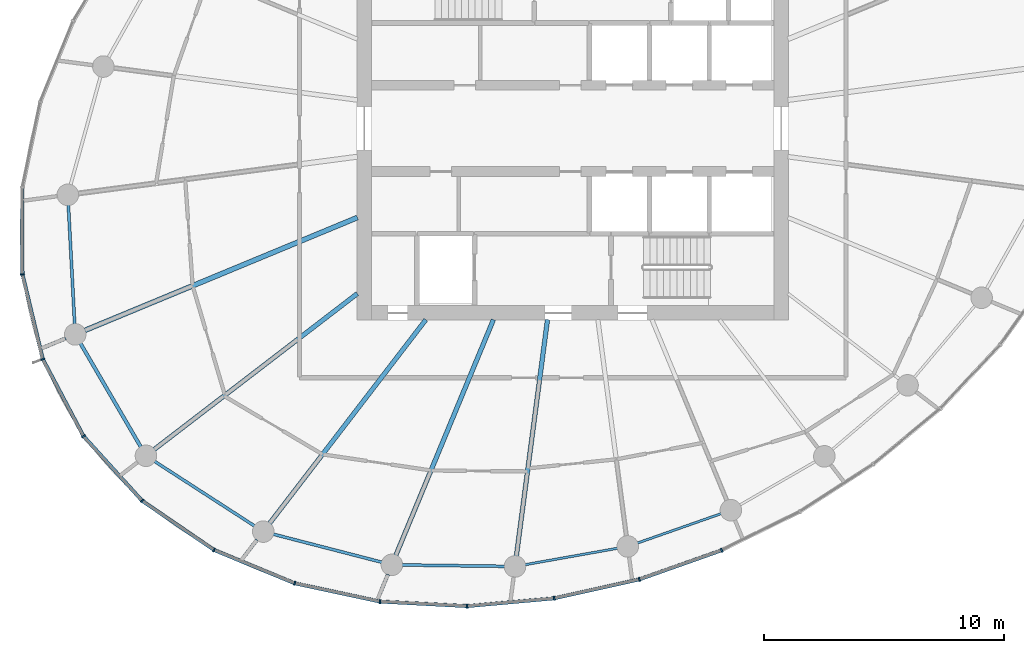
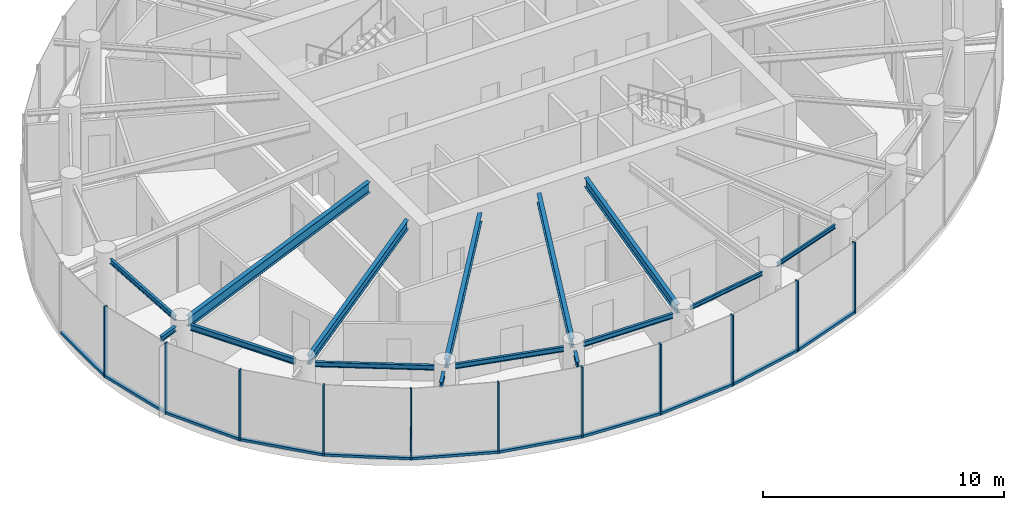
# One storey, part 2 of 13: 22 members, 15 beams, 3 elements without a shape of their own.
"""IFC4 building model written with IfcOpenShell, lengths in metres."""

from ifc_helpers import new_model, si_unit, direction, frame, origin, origin_2d, place, context, subcontext, project, spatial, rectangle, i_section, extrude, source, transform, mapped, material, layer, layer_set, material_profile, profile_set, type_object, element, aggregate, save


model = new_model("IFC4")

# Units and contexts
model_context = context("Model", 3, precision=1e-05, world=origin(), true_north=direction((0.0, 1.0)))
body_context = subcontext(model_context, "Body", "Model", "MODEL_VIEW")
ifc_project = project(units=[si_unit("LENGTHUNIT", "METRE"), si_unit("AREAUNIT", "SQUARE_METRE"), si_unit("VOLUMEUNIT", "CUBIC_METRE"), si_unit("PLANEANGLEUNIT", "RADIAN"), si_unit("MASSUNIT", "GRAM", prefix="KILO")], contexts=[model_context])

# Site, building, storey
site_placement = place(None, origin())
site = spatial("IfcSite", under=ifc_project, at=site_placement, CompositionType="ELEMENT")
building_placement = place(site_placement, origin())
building = spatial("IfcBuilding", under=site, at=building_placement, Name="Spindrift Exchange Tower", CompositionType="ELEMENT")
storey_placement = place(building_placement, frame((0.0, 0.0, 222.800048828125)))
storey = spatial("IfcBuildingStorey", under=building, at=storey_placement, Name="L54", CompositionType="ELEMENT", Elevation=222.800048828125)

# Beams
ifc_material_1 = material(Name="Steel Grade 300", Category="steel")
ifc_material_profile_1 = material_profile(ifc_material_1, i_section(OverallWidth=0.14599609375, OverallDepth=0.251953125, WebThickness=0.006103515625, FlangeThickness=0.008544921875, FilletRadius=0.011962890625, at=origin_2d()), Name="250UB31.4")
ifc_profile_set_1 = profile_set([ifc_material_profile_1], Name="Steel Grade 300")
beam_type_1 = type_object("IfcBeamType", Name="Cantilever Beam 250UB31.4 Steel Grade 300", PredefinedType="BEAM", material=ifc_profile_set_1)
shared_shape_1 = source(origin(), body_context, "Body", "SweptSolid", [
    extrude(i_section(OverallWidth=0.14599609375, OverallDepth=0.251953125, WebThickness=0.006103515625, FlangeThickness=0.008544921875, FilletRadius=0.011962890625, at=origin_2d()), origin(), (0.0, 0.0, 1.0), 0.99267578125),
])
beam_1_placement = place(storey_placement, frame((30.849609375, 39.2392578125, 3.453857421875), z_axis=(-0.923860933472, -0.382728331332, 0.0), x_axis=(0.382728331332, -0.923860933472, 0.0)))
element("IfcBeam", 1, at=beam_1_placement, inside=storey, type_object=beam_type_1, Name="L54 cantilever beam R14T", PredefinedType="BEAM", context=body_context, shape_type="MappedRepresentation", body=[
    mapped(shared_shape_1, transform((0.0, 0.0, 0.0), scale=1.0)),
])
ifc_material_profile_2 = material_profile(ifc_material_1, i_section(OverallWidth=0.208984375, OverallDepth=0.528076171875, WebThickness=0.009521484375, FlangeThickness=0.01318359375, FilletRadius=0.013916015625, at=origin_2d()), Name="530UB82.0")
ifc_profile_set_2 = profile_set([ifc_material_profile_2], Name="Steel Grade 300")
beam_type_2 = type_object("IfcBeamType", Name="Floor Beam 530UB82.0 Steel Grade 300", PredefinedType="BEAM", material=ifc_profile_set_2)
shared_shape_2 = source(origin(), body_context, "Body", "SweptSolid", [
    extrude(i_section(OverallWidth=0.208984375, OverallDepth=0.528076171875, WebThickness=0.009521484375, FlangeThickness=0.01318359375, FilletRadius=0.013916015625, at=origin_2d()), origin(), (0.0, 0.0, 1.0), 12.3115234375),
])
beam_2_placement = place(storey_placement, frame((43.0185546875, 44.27978515625, 3.31591796875), z_axis=(-0.923878099838, -0.382686891126, 0.0), x_axis=(0.382686891126, -0.923878099838, 0.0)))
element("IfcBeam", 2, at=beam_2_placement, inside=storey, type_object=beam_type_2, Name="L54 radial beam R14A", PredefinedType="BEAM", context=body_context, shape_type="MappedRepresentation", body=[
    mapped(shared_shape_2, transform((0.0, 0.0, 0.0), scale=1.0)),
])
ifc_material_profile_3 = material_profile(ifc_material_1, i_section(OverallWidth=0.18994140625, OverallDepth=0.4541015625, WebThickness=0.008544921875, FlangeThickness=0.0126953125, FilletRadius=0.013916015625, at=origin_2d()), Name="460UB67.1")
ifc_profile_set_3 = profile_set([ifc_material_profile_3], Name="Steel Grade 300")
beam_type_3 = type_object("IfcBeamType", Name="Floor Beam 460UB67.1 Steel Grade 300", PredefinedType="BEAM", material=ifc_profile_set_3)
shared_shape_3 = source(origin(), body_context, "Body", "SweptSolid", [
    extrude(i_section(OverallWidth=0.18994140625, OverallDepth=0.4541015625, WebThickness=0.008544921875, FlangeThickness=0.0126953125, FilletRadius=0.013916015625, at=origin_2d()), origin(), (0.0, 0.0, 1.0), 10.684814453125),
])
beam_3_placement = place(storey_placement, frame((43.015869140625, 41.106201171875, 3.35302734375), z_axis=(-0.793357316898, -0.608756246559, 0.0), x_axis=(0.608756246559, -0.793357316898, 0.0)))
element("IfcBeam", 3, at=beam_3_placement, inside=storey, type_object=beam_type_3, Name="L54 radial beam R15A", PredefinedType="BEAM", context=body_context, shape_type="MappedRepresentation", body=[
    mapped(shared_shape_3, transform((0.0, 0.0, 0.0), scale=1.0)),
])
shared_shape_4 = source(origin(), body_context, "Body", "SweptSolid", [
    extrude(i_section(OverallWidth=0.18994140625, OverallDepth=0.4541015625, WebThickness=0.008544921875, FlangeThickness=0.0126953125, FilletRadius=0.013916015625, at=origin_2d()), origin(), (0.0, 0.0, 1.0), 10.711181640625),
])
beam_4_placement = place(storey_placement, frame((45.87353515625, 40.015869140625, 3.35302734375), z_axis=(-0.608756401092, -0.793357198322, 0.0), x_axis=(0.793357198322, -0.608756401092, 0.0)))
element("IfcBeam", 4, at=beam_4_placement, inside=storey, type_object=beam_type_3, Name="L54 radial beam R16A", PredefinedType="BEAM", context=body_context, shape_type="MappedRepresentation", body=[
    mapped(shared_shape_4, transform((0.0, 0.0, 0.0), scale=1.0)),
])
shared_shape_5 = source(origin(), body_context, "Body", "SweptSolid", [
    extrude(i_section(OverallWidth=0.18994140625, OverallDepth=0.4541015625, WebThickness=0.008544921875, FlangeThickness=0.0126953125, FilletRadius=0.013916015625, at=origin_2d()), origin(), (0.0, 0.0, 1.0), 10.64111328125),
])
beam_5_placement = place(storey_placement, frame((48.69384765625, 40.0185546875, 3.35302734375), z_axis=(-0.382672627597, -0.923884007919, 0.0), x_axis=(0.923884007919, -0.382672627597, 0.0)))
element("IfcBeam", 5, at=beam_5_placement, inside=storey, type_object=beam_type_3, Name="L54 radial beam R17A", PredefinedType="BEAM", context=body_context, shape_type="MappedRepresentation", body=[
    mapped(shared_shape_5, transform((0.0, 0.0, 0.0), scale=1.0)),
])
shared_shape_6 = source(origin(), body_context, "Body", "SweptSolid", [
    extrude(i_section(OverallWidth=0.18994140625, OverallDepth=0.4541015625, WebThickness=0.008544921875, FlangeThickness=0.0126953125, FilletRadius=0.013916015625, at=origin_2d()), origin(), (0.0, 0.0, 1.0), 9.95703125),
])
beam_6_placement = place(storey_placement, frame((50.949462890625, 40.019775390625, 3.35302734375), z_axis=(-0.130541406635, -0.991442858239, 0.0), x_axis=(0.991442858239, -0.130541406635, 0.0)))
element("IfcBeam", 6, at=beam_6_placement, inside=storey, type_object=beam_type_3, Name="L54 radial beam R18A", PredefinedType="BEAM", context=body_context, shape_type="MappedRepresentation", body=[
    mapped(shared_shape_6, transform((0.0, 0.0, 0.0), scale=1.0)),
])
ifc_material_profile_4 = material_profile(ifc_material_1, i_section(OverallWidth=0.1240234375, OverallDepth=0.248046875, WebThickness=0.0048828125, FlangeThickness=0.008056640625, FilletRadius=0.011962890625, at=origin_2d()), Name="250UB25.7")
ifc_profile_set_4 = profile_set([ifc_material_profile_4], Name="Steel Grade 300")
beam_type_4 = type_object("IfcBeamType", Name="Edge Beam 250UB25.7 Steel Grade 300", PredefinedType="SPANDREL", material=ifc_profile_set_4)
shared_shape_7 = source(origin(), body_context, "Body", "SweptSolid", [
    extrude(i_section(OverallWidth=0.1240234375, OverallDepth=0.248046875, WebThickness=0.0048828125, FlangeThickness=0.008056640625, FilletRadius=0.011962890625, at=origin_2d()), origin(), (0.0, 0.0, 1.0), 4.971435546875),
])
beam_7_placement = place(storey_placement, frame((30.96044921875, 44.797607421875, 3.4560546875), z_axis=(0.053038255124, -0.998592481192, 0.0), x_axis=(0.998592481192, 0.053038255124, 0.0)))
element("IfcBeam", 7, at=beam_7_placement, inside=storey, type_object=beam_type_4, Name="L54 edge beam E13", PredefinedType="SPANDREL", context=body_context, shape_type="MappedRepresentation", body=[
    mapped(shared_shape_7, transform((0.0, 0.0, 0.0), scale=1.0)),
])
ifc_material_profile_5 = material_profile(ifc_material_1, i_section(OverallWidth=0.14892578125, OverallDepth=0.298095703125, WebThickness=0.005615234375, FlangeThickness=0.008056640625, FilletRadius=0.012939453125, at=origin_2d()), Name="310UB32.0")
ifc_profile_set_5 = profile_set([ifc_material_profile_5], Name="Steel Grade 300")
beam_type_5 = type_object("IfcBeamType", Name="Edge Beam 310UB32.0 Steel Grade 300", PredefinedType="SPANDREL", material=ifc_profile_set_5)
shared_shape_8 = source(origin(), body_context, "Body", "SweptSolid", [
    extrude(i_section(OverallWidth=0.14892578125, OverallDepth=0.298095703125, WebThickness=0.005615234375, FlangeThickness=0.008056640625, FilletRadius=0.012939453125, at=origin_2d()), origin(), (0.0, 0.0, 1.0), 5.0009765625),
])
beam_8_placement = place(storey_placement, frame((31.46337890625, 39.0322265625, 3.430908203125), z_axis=(0.503512812094, -0.863987759205, 0.0), x_axis=(0.863987759205, 0.503512812094, 0.0)))
element("IfcBeam", 8, at=beam_8_placement, inside=storey, type_object=beam_type_5, Name="L54 edge beam E14", PredefinedType="SPANDREL", context=body_context, shape_type="MappedRepresentation", body=[
    mapped(shared_shape_8, transform((0.0, 0.0, 0.0), scale=1.0)),
])
shared_shape_9 = source(origin(), body_context, "Body", "SweptSolid", [
    extrude(i_section(OverallWidth=0.1240234375, OverallDepth=0.248046875, WebThickness=0.0048828125, FlangeThickness=0.008056640625, FilletRadius=0.011962890625, at=origin_2d()), origin(), (0.0, 0.0, 1.0), 4.966552734375),
])
beam_9_placement = place(storey_placement, frame((34.55908203125, 34.106689453125, 3.4560546875), z_axis=(0.839802198579, -0.54289250065, 0.0), x_axis=(0.54289250065, 0.839802198579, 0.0)))
element("IfcBeam", 9, at=beam_9_placement, inside=storey, type_object=beam_type_4, Name="L54 edge beam E15", PredefinedType="SPANDREL", context=body_context, shape_type="MappedRepresentation", body=[
    mapped(shared_shape_9, transform((0.0, 0.0, 0.0), scale=1.0)),
])
shared_shape_10 = source(origin(), body_context, "Body", "SweptSolid", [
    extrude(i_section(OverallWidth=0.1240234375, OverallDepth=0.248046875, WebThickness=0.0048828125, FlangeThickness=0.008056640625, FilletRadius=0.011962890625, at=origin_2d()), origin(), (0.0, 0.0, 1.0), 4.682373046875),
])
beam_10_placement = place(storey_placement, frame((39.507568359375, 31.0693359375, 3.4560546875), z_axis=(0.968201586176, -0.250171318352, 0.0), x_axis=(0.250171318352, 0.968201586176, 0.0)))
element("IfcBeam", 10, at=beam_10_placement, inside=storey, type_object=beam_type_4, Name="L54 edge beam E16", PredefinedType="SPANDREL", context=body_context, shape_type="MappedRepresentation", body=[
    mapped(shared_shape_10, transform((0.0, 0.0, 0.0), scale=1.0)),
])
shared_shape_11 = source(origin(), body_context, "Body", "SweptSolid", [
    extrude(i_section(OverallWidth=0.1240234375, OverallDepth=0.248046875, WebThickness=0.0048828125, FlangeThickness=0.008056640625, FilletRadius=0.011962890625, at=origin_2d()), origin(), (0.0, 0.0, 1.0), 4.27685546875),
])
beam_11_placement = place(storey_placement, frame((44.88720703125, 29.78466796875, 3.4560546875), z_axis=(0.999910013527, -0.013415097807, 0.0), x_axis=(0.013415097807, 0.999910013527, 0.0)))
element("IfcBeam", 11, at=beam_11_placement, inside=storey, type_object=beam_type_4, Name="L54 edge beam E17", PredefinedType="SPANDREL", context=body_context, shape_type="MappedRepresentation", body=[
    mapped(shared_shape_11, transform((0.0, 0.0, 0.0), scale=1.0)),
])
ifc_material_profile_6 = material_profile(ifc_material_1, i_section(OverallWidth=0.09912109375, OverallDepth=0.197998046875, WebThickness=0.00439453125, FlangeThickness=0.007080078125, FilletRadius=0.010986328125, at=origin_2d()), Name="200UB18.2")
ifc_profile_set_6 = profile_set([ifc_material_profile_6], Name="Steel Grade 300")
beam_type_6 = type_object("IfcBeamType", Name="Edge Beam 200UB18.2 Steel Grade 300", PredefinedType="SPANDREL", material=ifc_profile_set_6)
shared_shape_12 = source(origin(), body_context, "Body", "SweptSolid", [
    extrude(i_section(OverallWidth=0.09912109375, OverallDepth=0.197998046875, WebThickness=0.00439453125, FlangeThickness=0.007080078125, FilletRadius=0.010986328125, at=origin_2d()), origin(), (0.0, 0.0, 1.0), 3.916259765625),
])
beam_12_placement = place(storey_placement, frame((50.01708984375, 29.796875, 3.48095703125), z_axis=(0.984558687682, 0.175054821441, 0.0), x_axis=(-0.175054821441, 0.984558687682, 0.0)))
element("IfcBeam", 12, at=beam_12_placement, inside=storey, type_object=beam_type_6, Name="L54 edge beam E18", PredefinedType="SPANDREL", context=body_context, shape_type="MappedRepresentation", body=[
    mapped(shared_shape_12, transform((0.0, 0.0, 0.0), scale=1.0)),
])
shared_shape_13 = source(origin(), body_context, "Body", "SweptSolid", [
    extrude(i_section(OverallWidth=0.09912109375, OverallDepth=0.197998046875, WebThickness=0.00439453125, FlangeThickness=0.007080078125, FilletRadius=0.010986328125, at=origin_2d()), origin(), (0.0, 0.0, 1.0), 3.700439453125),
])
beam_13_placement = place(storey_placement, frame((54.701904296875, 30.699951171875, 3.48095703125), z_axis=(0.943515334916, 0.331328858957, 0.0), x_axis=(-0.331328858957, 0.943515334916, 0.0)))
element("IfcBeam", 13, at=beam_13_placement, inside=storey, type_object=beam_type_6, Name="L54 edge beam E19", PredefinedType="SPANDREL", context=body_context, shape_type="MappedRepresentation", body=[
    mapped(shared_shape_13, transform((0.0, 0.0, 0.0), scale=1.0)),
])
shared_shape_14 = source(origin(), body_context, "Body", "SweptSolid", [
    extrude(i_section(OverallWidth=0.14599609375, OverallDepth=0.251953125, WebThickness=0.006103515625, FlangeThickness=0.008544921875, FilletRadius=0.011962890625, at=origin_2d()), origin(), (0.0, 0.0, 1.0), 0.853515625),
])
beam_14_placement = place(storey_placement, frame((38.829345703125, 30.835693359375, 3.453857421875), z_axis=(-0.608659697441, -0.793431391307, 0.0), x_axis=(0.793431391307, -0.608659697441, 0.0)))
element("IfcBeam", 14, at=beam_14_placement, inside=storey, type_object=beam_type_1, Name="L54 cantilever beam R16T", PredefinedType="BEAM", context=body_context, shape_type="MappedRepresentation", body=[
    mapped(shared_shape_14, transform((0.0, 0.0, 0.0), scale=1.0)),
])
shared_shape_15 = source(origin(), body_context, "Body", "SweptSolid", [
    extrude(i_section(OverallWidth=0.14599609375, OverallDepth=0.251953125, WebThickness=0.006103515625, FlangeThickness=0.008544921875, FilletRadius=0.011962890625, at=origin_2d()), origin(), (0.0, 0.0, 1.0), 0.862060546875),
])
beam_15_placement = place(storey_placement, frame((44.292724609375, 29.39306640625, 3.453857421875), z_axis=(-0.382643629872, -0.923896018239, 0.0), x_axis=(0.923896018239, -0.382643629872, 0.0)))
element("IfcBeam", 15, at=beam_15_placement, inside=storey, type_object=beam_type_1, Name="L54 cantilever beam R17T", PredefinedType="BEAM", context=body_context, shape_type="MappedRepresentation", body=[
    mapped(shared_shape_15, transform((0.0, 0.0, 0.0), scale=1.0)),
])

# Curtain wall, member
ifc_material_2 = material(Name="Fritted laminated glass with bronze frame", Category="glass")
ifc_layer = layer(ifc_material_2, 0.169921875)
ifc_layer_set = layer_set([ifc_layer], Name="ZONE 4 BRONZE FRITTED WALL")
curtain_wall_type = type_object("IfcCurtainWallType", Name="ZONE 4 BRONZE FRITTED WALL", PredefinedType="NOTDEFINED", material=ifc_layer_set)
curtain_wall_1_placement = place(storey_placement, origin())
curtain_wall_1 = element("IfcCurtainWall", 16, at=curtain_wall_1_placement, inside=storey, type_object=curtain_wall_type, Name="L54 Zone 4 Bronze Fritted Wall run 3", PredefinedType="NOTDEFINED")
ifc_material_3 = material(Name="Bronze anodised aluminium", Category="aluminium")
ifc_material_profile_7 = material_profile(ifc_material_3, rectangle(XDim=0.06494140625, YDim=0.169921875, at=origin_2d()), Name="ZONE 4 BRONZE FRITTED WALL MULLION 65X170")
ifc_profile_set_7 = profile_set([ifc_material_profile_7], Name="Bronze anodised aluminium")
member_type_1 = type_object("IfcMemberType", Name="ZONE 4 BRONZE FRITTED WALL MULLION 65X170", PredefinedType="MULLION", material=ifc_profile_set_7)
shared_shape_16 = source(origin(), body_context, "Body", "SweptSolid", [
    extrude(rectangle(XDim=0.06494140625, YDim=0.169921875, at=origin_2d()), origin(), (0.0, 0.0, 1.0), 3.579833984375),
])
member_1_placement = place(storey_placement, frame((29.045654296875, 41.90478515625, 0.0), z_axis=(0.0, 0.0, 1.0), x_axis=(0.118168835169, -0.992993517801, 0.0)))
member_1 = element("IfcMember", 17, at=member_1_placement, type_object=member_type_1, Name="L54 mullion CW-4.18", PredefinedType="MULLION", context=body_context, shape_type="MappedRepresentation", body=[
    mapped(shared_shape_16, transform((0.0, 0.0, 0.0), scale=1.0)),
])

# Curtain wall, members
curtain_wall_2_placement = place(storey_placement, origin())
curtain_wall_2 = element("IfcCurtainWall", 18, at=curtain_wall_2_placement, inside=storey, type_object=curtain_wall_type, Name="L54 Zone 4 Bronze Fritted Wall run 4", PredefinedType="NOTDEFINED")
member_2_placement = place(storey_placement, frame((29.8935546875, 38.369140625, 0.0), z_axis=(0.0, 0.0, 1.0), x_axis=(0.353065215748, -0.935598713888, 0.0)))
member_2 = element("IfcMember", 19, at=member_2_placement, type_object=member_type_1, Name="L54 mullion CW-4.19", PredefinedType="MULLION", context=body_context, shape_type="MappedRepresentation", body=[
    mapped(shared_shape_16, transform((0.0, 0.0, 0.0), scale=1.0)),
])
member_3_placement = place(storey_placement, frame((31.59228515625, 35.155517578125, 0.0), z_axis=(0.0, 0.0, 1.0), x_axis=(0.57431582073, -0.81863382416, 0.0)))
member_3 = element("IfcMember", 20, at=member_3_placement, type_object=member_type_1, Name="L54 mullion CW-4.20", PredefinedType="MULLION", context=body_context, shape_type="MappedRepresentation", body=[
    mapped(shared_shape_16, transform((0.0, 0.0, 0.0), scale=1.0)),
])
member_4_placement = place(storey_placement, frame((34.03662109375, 32.4638671875, 0.0), z_axis=(0.0, 0.0, 1.0), x_axis=(0.754022458469, -0.656848637149, 0.0)))
member_4 = element("IfcMember", 21, at=member_4_placement, type_object=member_type_1, Name="L54 mullion CW-4.21", PredefinedType="MULLION", context=body_context, shape_type="MappedRepresentation", body=[
    mapped(shared_shape_16, transform((0.0, 0.0, 0.0), scale=1.0)),
])
member_5_placement = place(storey_placement, frame((37.039306640625, 30.410888671875, 0.0), z_axis=(0.0, 0.0, 1.0), x_axis=(0.879582877131, -0.475745690739, 0.0)))
member_5 = element("IfcMember", 22, at=member_5_placement, type_object=member_type_1, Name="L54 mullion CW-4.22", PredefinedType="MULLION", context=body_context, shape_type="MappedRepresentation", body=[
    mapped(shared_shape_16, transform((0.0, 0.0, 0.0), scale=1.0)),
])
member_6_placement = place(storey_placement, frame((40.402587890625, 29.02099609375, 0.0), z_axis=(0.0, 0.0, 1.0), x_axis=(0.954929776692, -0.296831806899, 0.0)))
member_6 = element("IfcMember", 23, at=member_6_placement, type_object=member_type_1, Name="L54 mullion CW-4.23", PredefinedType="MULLION", context=body_context, shape_type="MappedRepresentation", body=[
    mapped(shared_shape_16, transform((0.0, 0.0, 0.0), scale=1.0)),
])
member_7_placement = place(storey_placement, frame((43.96240234375, 28.259033203125, 0.0), z_axis=(0.0, 0.0, 1.0), x_axis=(0.991368985616, -0.13110123706, 0.0)))
member_7 = element("IfcMember", 24, at=member_7_placement, type_object=member_type_1, Name="L54 mullion CW-4.24", PredefinedType="MULLION", context=body_context, shape_type="MappedRepresentation", body=[
    mapped(shared_shape_16, transform((0.0, 0.0, 0.0), scale=1.0)),
])

curtain_wall_3_placement = place(storey_placement, origin())
curtain_wall_3 = element("IfcCurtainWall", 25, at=curtain_wall_3_placement, inside=storey, type_object=curtain_wall_type, Name="L54 Zone 4 Bronze Fritted Wall run 5", PredefinedType="NOTDEFINED")
member_8_placement = place(storey_placement, frame((47.59912109375, 28.0693359375, 0.0), z_axis=(0.0, 0.0, 1.0), x_axis=(0.999827458341, 0.018575616992, 0.0)))
member_8 = element("IfcMember", 26, at=member_8_placement, type_object=member_type_1, Name="L54 mullion CW-4.25", PredefinedType="MULLION", context=body_context, shape_type="MappedRepresentation", body=[
    mapped(shared_shape_16, transform((0.0, 0.0, 0.0), scale=1.0)),
])
member_9_placement = place(storey_placement, frame((51.2265625, 28.39404296875, 0.0), z_axis=(0.0, 0.0, 1.0), x_axis=(0.988173685724, 0.153338732365, 0.0)))
member_9 = element("IfcMember", 27, at=member_9_placement, type_object=member_type_1, Name="L54 mullion CW-4.26", PredefinedType="MULLION", context=body_context, shape_type="MappedRepresentation", body=[
    mapped(shared_shape_16, transform((0.0, 0.0, 0.0), scale=1.0)),
])
member_10_placement = place(storey_placement, frame((54.782470703125, 29.18408203125, 0.0), z_axis=(0.0, 0.0, 1.0), x_axis=(0.961245956012, 0.275692241548, 0.0)))
member_10 = element("IfcMember", 28, at=member_10_placement, type_object=member_type_1, Name="L54 mullion CW-4.27", PredefinedType="MULLION", context=body_context, shape_type="MappedRepresentation", body=[
    mapped(shared_shape_16, transform((0.0, 0.0, 0.0), scale=1.0)),
])
member_11_placement = place(storey_placement, frame((58.216552734375, 30.39892578125, 0.0), z_axis=(0.0, 0.0, 1.0), x_axis=(0.921592812184, 0.388158071577, 0.0)))
member_11 = element("IfcMember", 29, at=member_11_placement, type_object=member_type_1, Name="L54 mullion CW-4.28", PredefinedType="MULLION", context=body_context, shape_type="MappedRepresentation", body=[
    mapped(shared_shape_16, transform((0.0, 0.0, 0.0), scale=1.0)),
])
ifc_material_profile_8 = material_profile(ifc_material_3, rectangle(XDim=0.14990234375, YDim=0.125, at=origin_2d()), Name="ZONE 4 BRONZE FRITTED WALL TRANSOM 150X125")
ifc_profile_set_8 = profile_set([ifc_material_profile_8], Name="Bronze anodised aluminium")
member_type_2 = type_object("IfcMemberType", Name="ZONE 4 BRONZE FRITTED WALL TRANSOM 150X125", PredefinedType="USERDEFINED", material=ifc_profile_set_8)
shared_shape_17 = source(origin(), body_context, "Body", "SweptSolid", [
    extrude(rectangle(XDim=0.14990234375, YDim=0.125, at=origin_2d()), origin(), (0.0, 0.0, 1.0), 3.57763671875),
])
member_12_placement = place(storey_placement, frame((51.25830078125, 28.401123046875, 0.0625), z_axis=(0.976199904, 0.216872652563, 0.0), x_axis=(-0.216872652563, 0.976199904, 0.0)))
member_12 = element("IfcMember", 30, at=member_12_placement, type_object=member_type_2, Name="L54 transom CW-4.26", ObjectType="TRANSOM", PredefinedType="USERDEFINED", context=body_context, shape_type="MappedRepresentation", body=[
    mapped(shared_shape_17, transform((0.0, 0.0, 0.0), scale=1.0)),
])
shared_shape_18 = source(origin(), body_context, "Body", "SweptSolid", [
    extrude(rectangle(XDim=0.14990234375, YDim=0.125, at=origin_2d()), origin(), (0.0, 0.0, 1.0), 3.577880859375),
])
member_13_placement = place(storey_placement, frame((54.81298828125, 29.19482421875, 0.0625), z_axis=(0.942759571971, 0.333473221499, 0.0), x_axis=(-0.333473221499, 0.942759571971, 0.0)))
member_13 = element("IfcMember", 31, at=member_13_placement, type_object=member_type_2, Name="L54 transom CW-4.27", ObjectType="TRANSOM", PredefinedType="USERDEFINED", context=body_context, shape_type="MappedRepresentation", body=[
    mapped(shared_shape_18, transform((0.0, 0.0, 0.0), scale=1.0)),
])
shared_shape_19 = source(origin(), body_context, "Body", "SweptSolid", [
    extrude(rectangle(XDim=0.14990234375, YDim=0.125, at=origin_2d()), origin(), (0.0, 0.0, 1.0), 3.5771484375),
])
member_14_placement = place(storey_placement, frame((47.63134765625, 28.072265625, 0.0625), z_axis=(0.996019764713, 0.089132644423, 0.0), x_axis=(-0.089132644423, 0.996019764713, 0.0)))
member_14 = element("IfcMember", 32, at=member_14_placement, type_object=member_type_2, Name="L54 transom CW-4.25", ObjectType="TRANSOM", PredefinedType="USERDEFINED", context=body_context, shape_type="MappedRepresentation", body=[
    mapped(shared_shape_19, transform((0.0, 0.0, 0.0), scale=1.0)),
])
aggregate(curtain_wall_3, [member_8, member_14, member_9, member_12, member_10, member_13, member_11])

# Member
shared_shape_20 = source(origin(), body_context, "Body", "SweptSolid", [
    extrude(rectangle(XDim=0.14990234375, YDim=0.125, at=origin_2d()), origin(), (0.0, 0.0, 1.0), 3.575439453125),
])
member_15_placement = place(storey_placement, frame((40.434326171875, 29.01416015625, 0.0625), z_axis=(0.977855342424, -0.209281937332, 0.0), x_axis=(0.209281937332, 0.977855342424, 0.0)))
member_15 = element("IfcMember", 33, at=member_15_placement, type_object=member_type_2, Name="L54 transom CW-4.23", ObjectType="TRANSOM", PredefinedType="USERDEFINED", context=body_context, shape_type="MappedRepresentation", body=[
    mapped(shared_shape_20, transform((0.0, 0.0, 0.0), scale=1.0)),
])

shared_shape_21 = source(origin(), body_context, "Body", "SweptSolid", [
    extrude(rectangle(XDim=0.14990234375, YDim=0.125, at=origin_2d()), origin(), (0.0, 0.0, 1.0), 3.57080078125),
])
member_16_placement = place(storey_placement, frame((31.6142578125, 35.131591796875, 0.0625), z_axis=(0.672237074323, -0.740335948003, 0.0), x_axis=(0.740335948003, 0.672237074323, 0.0)))
member_16 = element("IfcMember", 34, at=member_16_placement, type_object=member_type_2, Name="L54 transom CW-4.20", ObjectType="TRANSOM", PredefinedType="USERDEFINED", context=body_context, shape_type="MappedRepresentation", body=[
    mapped(shared_shape_21, transform((0.0, 0.0, 0.0), scale=1.0)),
])

shared_shape_22 = source(origin(), body_context, "Body", "SweptSolid", [
    extrude(rectangle(XDim=0.14990234375, YDim=0.125, at=origin_2d()), origin(), (0.0, 0.0, 1.0), 3.570068359375),
])
member_17_placement = place(storey_placement, frame((29.90869140625, 38.340576171875, 0.0625), z_axis=(0.467340923081, -0.884077180801, 0.0), x_axis=(0.884077180801, 0.467340923081, 0.0)))
member_17 = element("IfcMember", 35, at=member_17_placement, type_object=member_type_2, Name="L54 transom CW-4.19", ObjectType="TRANSOM", PredefinedType="USERDEFINED", context=body_context, shape_type="MappedRepresentation", body=[
    mapped(shared_shape_22, transform((0.0, 0.0, 0.0), scale=1.0)),
])

shared_shape_23 = source(origin(), body_context, "Body", "SweptSolid", [
    extrude(rectangle(XDim=0.14990234375, YDim=0.125, at=origin_2d()), origin(), (0.0, 0.0, 1.0), 3.572509765625),
])
member_18_placement = place(storey_placement, frame((29.0400390625, 45.509765625, 0.0625), z_axis=(0.001571787849, -0.999998764741, 0.0), x_axis=(0.999998764741, 0.001571787849, 0.0)))
member_18 = element("IfcMember", 36, at=member_18_placement, type_object=member_type_2, Name="L54 transom CW-4.17", ObjectType="TRANSOM", PredefinedType="USERDEFINED", context=body_context, shape_type="MappedRepresentation", body=[
    mapped(shared_shape_23, transform((0.0, 0.0, 0.0), scale=1.0)),
])

member_19_placement = place(storey_placement, frame((34.063232421875, 32.445556640625, 0.0625), z_axis=(0.825538514021, -0.564345782184, 0.0), x_axis=(0.564345782184, 0.825538514021, 0.0)))
member_19 = element("IfcMember", 37, at=member_19_placement, type_object=member_type_2, Name="L54 transom CW-4.21", ObjectType="TRANSOM", PredefinedType="USERDEFINED", context=body_context, shape_type="MappedRepresentation", body=[
    mapped(shared_shape_23, transform((0.0, 0.0, 0.0), scale=1.0)),
])

shared_shape_24 = source(origin(), body_context, "Body", "SweptSolid", [
    extrude(rectangle(XDim=0.14990234375, YDim=0.125, at=origin_2d()), origin(), (0.0, 0.0, 1.0), 3.57666015625),
])
member_20_placement = place(storey_placement, frame((43.994873046875, 28.25732421875, 0.0625), z_axis=(0.998642794574, -0.052082327564, 0.0), x_axis=(0.052082327564, 0.998642794574, 0.0)))
member_20 = element("IfcMember", 38, at=member_20_placement, type_object=member_type_2, Name="L54 transom CW-4.24", ObjectType="TRANSOM", PredefinedType="USERDEFINED", context=body_context, shape_type="MappedRepresentation", body=[
    mapped(shared_shape_24, transform((0.0, 0.0, 0.0), scale=1.0)),
])

shared_shape_25 = source(origin(), body_context, "Body", "SweptSolid", [
    extrude(rectangle(XDim=0.14990234375, YDim=0.125, at=origin_2d()), origin(), (0.0, 0.0, 1.0), 3.57421875),
])
member_21_placement = place(storey_placement, frame((37.0693359375, 30.398681640625, 0.0625), z_axis=(0.924152411359, -0.382023979064, 0.0), x_axis=(0.382023979064, 0.924152411359, 0.0)))
member_21 = element("IfcMember", 39, at=member_21_placement, type_object=member_type_2, Name="L54 transom CW-4.22", ObjectType="TRANSOM", PredefinedType="USERDEFINED", context=body_context, shape_type="MappedRepresentation", body=[
    mapped(shared_shape_25, transform((0.0, 0.0, 0.0), scale=1.0)),
])

aggregate(curtain_wall_2, [member_2, member_17, member_3, member_16, member_4, member_19, member_5, member_21, member_6, member_15, member_7, member_20])

shared_shape_26 = source(origin(), body_context, "Body", "SweptSolid", [
    extrude(rectangle(XDim=0.14990234375, YDim=0.125, at=origin_2d()), origin(), (0.0, 0.0, 1.0), 3.570556640625),
])
member_22_placement = place(storey_placement, frame((29.05322265625, 41.873046875, 0.0625), z_axis=(0.233225546291, -0.972422667649, 0.0), x_axis=(0.972422667649, 0.233225546291, 0.0)))
member_22 = element("IfcMember", 40, at=member_22_placement, type_object=member_type_2, Name="L54 transom CW-4.18", ObjectType="TRANSOM", PredefinedType="USERDEFINED", context=body_context, shape_type="MappedRepresentation", body=[
    mapped(shared_shape_26, transform((0.0, 0.0, 0.0), scale=1.0)),
])

aggregate(curtain_wall_1, [member_18, member_1, member_22])

save(model, "model.ifc")
